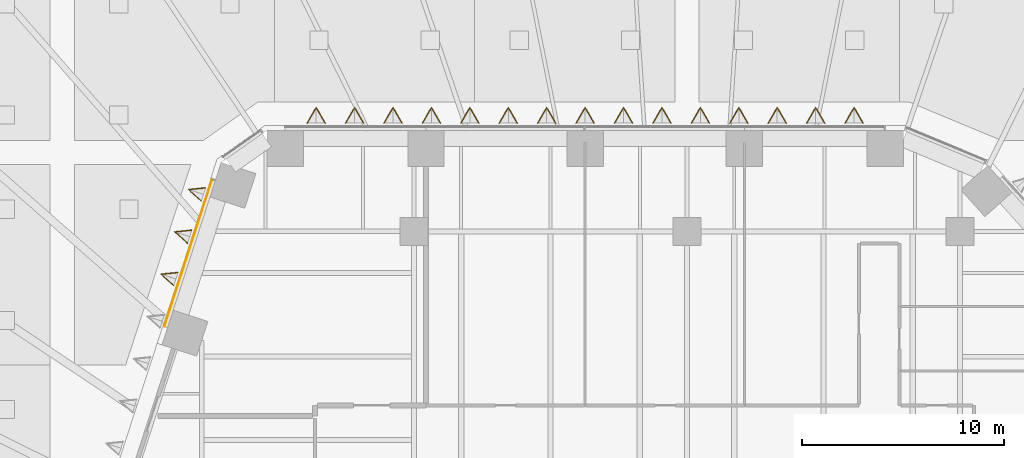
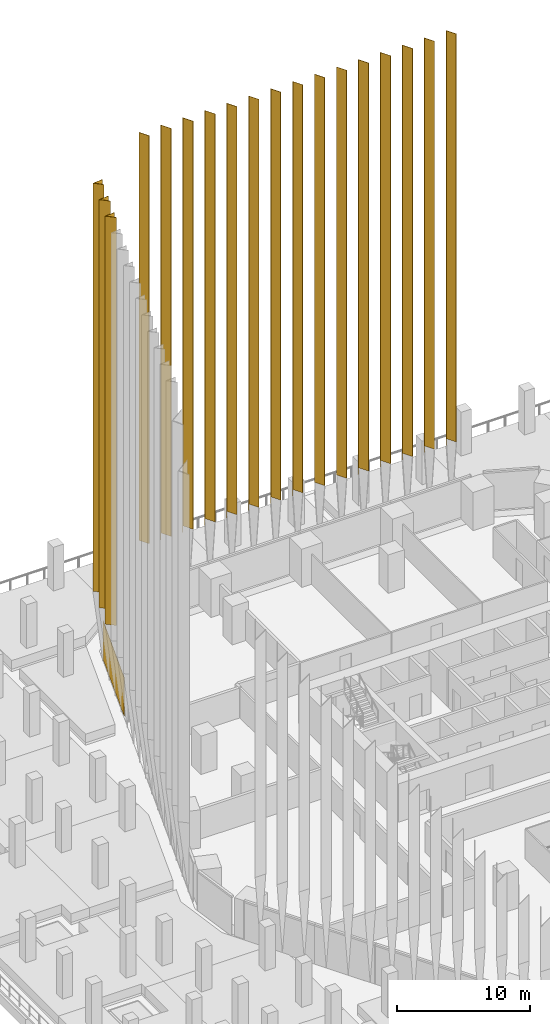
# One storey, part 44 of 51: 19 coverings, 1 element without a shape of its own.
"""IFC4 building model written with IfcOpenShell, lengths in metres."""

from ifc_helpers import new_model, si_unit, direction, frame, origin, origin_2d, place, context, subcontext, project, spatial, polyline, rectangle, outline, extrude, material, layer, layer_set, material_profile, profile_set, type_object, element, aggregate, save


model = new_model("IFC4")

# Units and contexts
model_context = context("Model", 3, precision=1e-05, world=origin(), true_north=direction((0.0, 1.0)))
body_context = subcontext(model_context, "Body", "Model", "MODEL_VIEW")
ifc_project = project(units=[si_unit("LENGTHUNIT", "METRE"), si_unit("AREAUNIT", "SQUARE_METRE"), si_unit("VOLUMEUNIT", "CUBIC_METRE"), si_unit("PLANEANGLEUNIT", "RADIAN"), si_unit("MASSUNIT", "GRAM", prefix="KILO")], contexts=[model_context])

# Site, building, storey
site_placement = place(None, origin())
site = spatial("IfcSite", under=ifc_project, at=site_placement, CompositionType="ELEMENT")
building_placement = place(site_placement, origin())
building = spatial("IfcBuilding", under=site, at=building_placement, Name="Isthmus Gate Tower", CompositionType="ELEMENT")
storey_placement = place(building_placement, frame((0.0, 0.0, 36.0)))
storey = spatial("IfcBuildingStorey", under=building, at=storey_placement, Name="L06", CompositionType="ELEMENT", Elevation=36.0)

# Curtain wall, covering
ifc_material_1 = material(Name="Aluminium, pale champagne anodised", Category="aluminium")
ifc_layer_1 = layer(ifc_material_1, 0.199951171875)
ifc_layer_set_1 = layer_set([ifc_layer_1], Name="CW-1 UNITISED CURTAIN WALL 200 DEEP")
curtain_wall_type = type_object("IfcCurtainWallType", Name="CW-1 UNITISED CURTAIN WALL 200 DEEP", PredefinedType="NOTDEFINED", material=ifc_layer_set_1)
curtain_wall_placement = place(storey_placement, origin())
curtain_wall = element("IfcCurtainWall", 1, at=curtain_wall_placement, inside=storey, type_object=curtain_wall_type, Name="CW-1 NW L06", PredefinedType="NOTDEFINED")
ifc_material_2 = material(Name="Aluminium composite panel, pale champagne anodised", Category="aluminium")
ifc_layer_2 = layer(ifc_material_2, 0.0400390625)
ifc_layer_set_2 = layer_set([ifc_layer_2], Name="CW-1 PALE METAL PANEL 40")
covering_type_1 = type_object("IfcCoveringType", Name="CW-1 PALE METAL PANEL 40", PredefinedType="CLADDING", material=ifc_layer_set_2)
covering_placement = place(storey_placement, frame((-24.67578125, 25.9296875, 0.0), z_axis=(0.0, 0.0, 1.0), x_axis=(-0.309016994375, -0.951056516295, 0.0)))
covering = element("IfcCovering", 2, at=covering_placement, type_object=covering_type_1, Name="CW-1 pale metal panel", PredefinedType="CLADDING", context=body_context, shape_type="SweptSolid", body=[
    extrude(rectangle(XDim=7.62939453125, YDim=0.0400390625, at=origin_2d()), origin(), (0.0, 0.0, 1.0), 3.5),
])
aggregate(curtain_wall, [covering])

# Coverings
ifc_material_3 = material(Name="Structural steel ASTM A572 Gr 50, white paint system", Category="steel")
ifc_material_profile_1 = material_profile(ifc_material_3, outline(polyline([(0.0, -0.356201171875), (0.800048828125, 0.0), (0.0, 0.356201171875), (0.0, 0.3232421875), (0.726318359375, 0.0), (0.0, -0.3232421875), (0.0, -0.356201171875)])), Name="V800")
ifc_profile_set_1 = profile_set([ifc_material_profile_1], Name="Structural steel ASTM A572 Gr 50, white paint system")
covering_type_2 = type_object("IfcCoveringType", Name="FIN V 800 DEEP", PredefinedType="CLADDING", material=ifc_profile_set_1)
for number, where, z_axis, x_axis, name in (
    (3, (-23.91162109375, 28.83154296875, 6.89990234375), (0.0, 0.0, 1.0), (-0.951056516295, 0.309016994375, 0.0), "FIN"),
    (4, (-24.591552734375, 26.7392578125, 6.89990234375), (0.0, 0.0, 1.0), (-0.951056516295, 0.309016994375, 0.0), "FIN"),
    (5, (-25.271240234375, 24.646728515625, 6.89990234375), (0.0, 0.0, 1.0), (-0.951056516295, 0.309016994375, 0.0), "FIN"),
):
    element("IfcCovering", number, at=place(storey_placement, frame(where, z_axis=z_axis, x_axis=x_axis)), inside=storey, type_object=covering_type_2, Name=name, ObjectType="FIN", PredefinedType="CLADDING", context=body_context, shape_type="SweptSolid", body=[
        extrude(outline(polyline([(0.0, -0.356201171875), (0.800048828125, 0.0), (0.0, 0.356201171875), (0.0, 0.3232421875), (0.726318359375, 0.0), (0.0, -0.3232421875), (0.0, -0.356201171875)])), origin(), (0.0, 0.0, 1.0), 37.35009765625),
    ])
ifc_material_4 = material(Name="Structural steel ASTM A572 Gr 50, white paint system", Category="steel")
ifc_material_profile_2 = material_profile(ifc_material_4, outline(polyline([(0.0, -0.4619140625), (0.800048828125, 0.0), (0.0, 0.4619140625), (0.0, 0.42724609375), (0.739990234375, 0.0), (0.0, -0.42724609375), (0.0, -0.4619140625)])), Name="V800W")
ifc_profile_set_2 = profile_set([ifc_material_profile_2], Name="Structural steel ASTM A572 Gr 50, white paint system")
covering_type_3 = type_object("IfcCoveringType", Name="FIN V 800 DEEP WIDE", PredefinedType="CLADDING", material=ifc_profile_set_2)
for number, where, z_axis, x_axis, name in (
    (6, (8.2626953125, 32.35009765625, 6.89990234375), (0.0, 0.0, 1.0), (0.0, 1.0, 0.0), "FIN"),
    (7, (6.36279296875, 32.35009765625, 6.89990234375), (0.0, 0.0, 1.0), (0.0, 1.0, 0.0), "FIN"),
    (8, (4.462890625, 32.35009765625, 6.89990234375), (0.0, 0.0, 1.0), (0.0, 1.0, 0.0), "FIN"),
    (9, (2.562744140625, 32.35009765625, 6.89990234375), (0.0, 0.0, 1.0), (0.0, 1.0, 0.0), "FIN"),
    (10, (0.662841796875, 32.35009765625, 6.89990234375), (0.0, 0.0, 1.0), (0.0, 1.0, 0.0), "FIN"),
    (11, (-1.2373046875, 32.35009765625, 6.89990234375), (0.0, 0.0, 1.0), (0.0, 1.0, 0.0), "FIN"),
    (12, (-3.13720703125, 32.35009765625, 6.89990234375), (0.0, 0.0, 1.0), (0.0, 1.0, 0.0), "FIN"),
    (13, (-5.037109375, 32.35009765625, 6.89990234375), (0.0, 0.0, 1.0), (0.0, 1.0, 0.0), "FIN"),
    (14, (-6.937255859375, 32.35009765625, 6.89990234375), (0.0, 0.0, 1.0), (0.0, 1.0, 0.0), "FIN"),
    (15, (-8.837158203125, 32.35009765625, 6.89990234375), (0.0, 0.0, 1.0), (0.0, 1.0, 0.0), "FIN"),
    (16, (-10.7373046875, 32.35009765625, 6.89990234375), (0.0, 0.0, 1.0), (0.0, 1.0, 0.0), "FIN"),
    (17, (-12.63720703125, 32.35009765625, 6.89990234375), (0.0, 0.0, 1.0), (0.0, 1.0, 0.0), "FIN"),
    (18, (-14.537109375, 32.35009765625, 6.89990234375), (0.0, 0.0, 1.0), (0.0, 1.0, 0.0), "FIN"),
    (19, (-16.437255859375, 32.35009765625, 6.89990234375), (0.0, 0.0, 1.0), (0.0, 1.0, 0.0), "FIN"),
    (20, (-18.337158203125, 32.35009765625, 6.89990234375), (0.0, 0.0, 1.0), (0.0, 1.0, 0.0), "FIN"),
):
    element("IfcCovering", number, at=place(storey_placement, frame(where, z_axis=z_axis, x_axis=x_axis)), inside=storey, type_object=covering_type_3, Name=name, ObjectType="FIN", PredefinedType="CLADDING", context=body_context, shape_type="SweptSolid", body=[
        extrude(outline(polyline([(0.0, -0.4619140625), (0.800048828125, 0.0), (0.0, 0.4619140625), (0.0, 0.42724609375), (0.739990234375, 0.0), (0.0, -0.42724609375), (0.0, -0.4619140625)])), origin(), (0.0, 0.0, 1.0), 37.35009765625),
    ])

save(model, "model.ifc")
